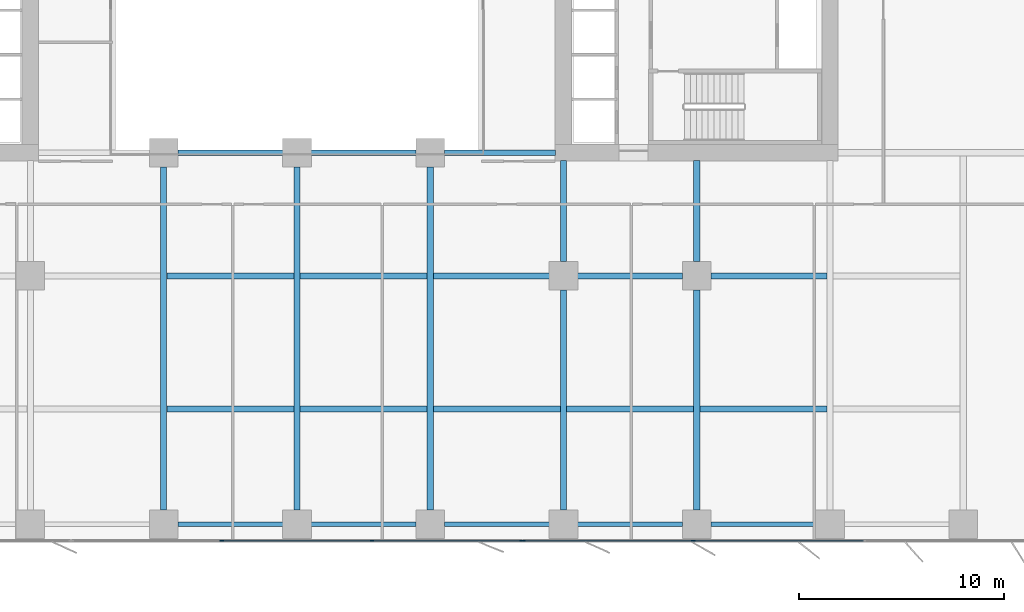
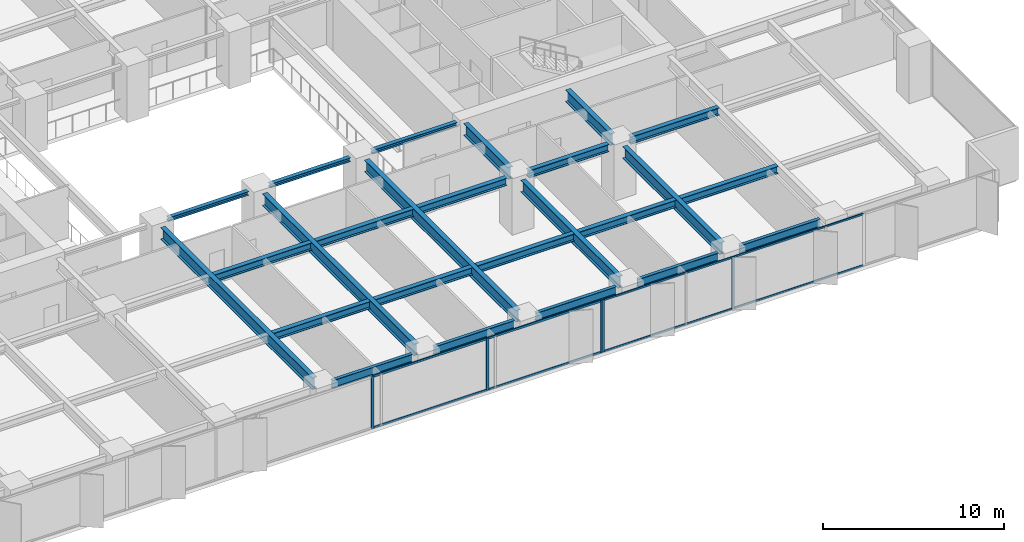
# One storey, part 5 of 20: 25 beams, 13 members, 2 elements without a shape of their own.
"""IFC4 building model written with IfcOpenShell, lengths in metres."""

from ifc_helpers import new_model, si_unit, direction, frame, origin, origin_2d, place, context, subcontext, project, spatial, rectangle, i_section, extrude, material, layer, layer_set, material_profile, profile_set, type_object, element, aggregate, save


model = new_model("IFC4")

# Units and contexts
model_context = context("Model", 3, precision=1e-05, world=origin(), true_north=direction((0.0, 1.0)))
body_context = subcontext(model_context, "Body", "Model", "MODEL_VIEW")
ifc_project = project(units=[si_unit("LENGTHUNIT", "METRE"), si_unit("AREAUNIT", "SQUARE_METRE"), si_unit("VOLUMEUNIT", "CUBIC_METRE"), si_unit("PLANEANGLEUNIT", "RADIAN"), si_unit("MASSUNIT", "GRAM", prefix="KILO")], contexts=[model_context])

# Site, building, storey
site_placement = place(None, origin())
site = spatial("IfcSite", under=ifc_project, at=site_placement, CompositionType="ELEMENT")
building_placement = place(site_placement, origin())
building = spatial("IfcBuilding", under=site, at=building_placement, Name="Putna Gate Headquarters", CompositionType="ELEMENT")
storey_placement = place(building_placement, frame((0.0, 0.0, 77.199951171875)))
storey = spatial("IfcBuildingStorey", under=building, at=storey_placement, Name="L18", CompositionType="ELEMENT", Elevation=77.199951171875)

# Beams
ifc_material_1 = material(Name="Steel S355J2", Category="steel")
ifc_material_profile_1 = material_profile(ifc_material_1, i_section(OverallWidth=0.260009765625, OverallDepth=0.260009765625, WebThickness=0.010009765625, FlangeThickness=0.017578125, at=origin_2d()), Name="Steel S355J2")
ifc_profile_set_1 = profile_set([ifc_material_profile_1], Name="Steel S355J2")
beam_type_1 = type_object("IfcBeamType", Name="BM-ATRIUM-HEB260", PredefinedType="BEAM", material=ifc_profile_set_1)
for number, where, z_axis, x_axis, name in (
    (1, (33.18798828125, 19.0, 3.39013671875), (1.0, 0.0, 0.0), (0.0, 1.0, 0.0), "L18 Atrium Edge Beam AS2"),
    (2, (39.68798828125, 19.0, 3.39013671875), (1.0, 0.0, 0.0), (0.0, 1.0, 0.0), "L18 Atrium Edge Beam AS3"),
):
    element("IfcBeam", number, at=place(storey_placement, frame(where, z_axis=z_axis, x_axis=x_axis)), inside=storey, type_object=beam_type_1, Name=name, PredefinedType="BEAM", context=body_context, shape_type="SweptSolid", body=[
        extrude(i_section(OverallWidth=0.260009765625, OverallDepth=0.260009765625, WebThickness=0.010009765625, FlangeThickness=0.017578125, at=origin_2d()), origin(), (0.0, 0.0, 1.0), 5.1240234375),
    ])
beam_1_placement = place(storey_placement, frame((46.18798828125, 19.0, 3.39013671875), z_axis=(1.0, 0.0, 0.0), x_axis=(0.0, 1.0, 0.0)))
element("IfcBeam", 3, at=beam_1_placement, inside=storey, type_object=beam_type_1, Name="L18 Atrium Edge Beam AS4", PredefinedType="BEAM", context=body_context, shape_type="SweptSolid", body=[
    extrude(i_section(OverallWidth=0.260009765625, OverallDepth=0.260009765625, WebThickness=0.010009765625, FlangeThickness=0.017578125, at=origin_2d()), origin(), (0.0, 0.0, 1.0), 5.427001953125),
])
ifc_material_profile_2 = material_profile(ifc_material_1, i_section(OverallWidth=0.300048828125, OverallDepth=0.800048828125, WebThickness=0.017578125, FlangeThickness=0.032958984375, at=origin_2d()), Name="Steel S355J2")
ifc_profile_set_2 = profile_set([ifc_material_profile_2], Name="Steel S355J2")
beam_type_2 = type_object("IfcBeamType", Name="BM-GIRD-P-HEB800", PredefinedType="USERDEFINED", material=ifc_profile_set_2)
for number, where, z_axis, x_axis, name in (
    (4, (32.5, 1.568115234375, 3.1201171875), (0.0, 1.0, 0.0), (-1.0, 0.0, 0.0), "L18 South Primary Girder X32"),
    (5, (39.0, 1.568115234375, 3.1201171875), (0.0, 1.0, 0.0), (-1.0, 0.0, 0.0), "L18 South Primary Girder X39"),
    (6, (45.5, 1.568115234375, 3.1201171875), (0.0, 1.0, 0.0), (-1.0, 0.0, 0.0), "L18 South Primary Girder X45"),
):
    element("IfcBeam", number, at=place(storey_placement, frame(where, z_axis=z_axis, x_axis=x_axis)), inside=storey, type_object=beam_type_2, Name=name, ObjectType="GIRDER", PredefinedType="USERDEFINED", context=body_context, shape_type="SweptSolid", body=[
        extrude(i_section(OverallWidth=0.300048828125, OverallDepth=0.800048828125, WebThickness=0.017578125, FlangeThickness=0.032958984375, at=origin_2d()), origin(), (0.0, 0.0, 1.0), 16.743896484375),
    ])
beam_2_placement = place(storey_placement, frame((52.0, 1.568115234375, 3.1201171875), z_axis=(0.0, 1.0, 0.0), x_axis=(-1.0, 0.0, 0.0)))
element("IfcBeam", 7, at=beam_2_placement, inside=storey, type_object=beam_type_2, Name="L18 South Primary Girder X52-1", ObjectType="GIRDER", PredefinedType="USERDEFINED", context=body_context, shape_type="SweptSolid", body=[
    extrude(i_section(OverallWidth=0.300048828125, OverallDepth=0.800048828125, WebThickness=0.017578125, FlangeThickness=0.032958984375, at=origin_2d()), origin(), (0.0, 0.0, 1.0), 10.743896484375),
])
beam_3_placement = place(storey_placement, frame((52.0, 13.68798828125, 3.1201171875), z_axis=(0.0, 1.0, 0.0), x_axis=(-1.0, 0.0, 0.0)))
element("IfcBeam", 8, at=beam_3_placement, inside=storey, type_object=beam_type_2, Name="L18 South Primary Girder X52-2", ObjectType="GIRDER", PredefinedType="USERDEFINED", context=body_context, shape_type="SweptSolid", body=[
    extrude(i_section(OverallWidth=0.300048828125, OverallDepth=0.800048828125, WebThickness=0.017578125, FlangeThickness=0.032958984375, at=origin_2d()), origin(), (0.0, 0.0, 1.0), 4.927001953125),
])
beam_4_placement = place(storey_placement, frame((58.5, 1.568115234375, 3.1201171875), z_axis=(0.0, 1.0, 0.0), x_axis=(-1.0, 0.0, 0.0)))
element("IfcBeam", 9, at=beam_4_placement, inside=storey, type_object=beam_type_2, Name="L18 South Primary Girder X58-1", ObjectType="GIRDER", PredefinedType="USERDEFINED", context=body_context, shape_type="SweptSolid", body=[
    extrude(i_section(OverallWidth=0.300048828125, OverallDepth=0.800048828125, WebThickness=0.017578125, FlangeThickness=0.032958984375, at=origin_2d()), origin(), (0.0, 0.0, 1.0), 10.743896484375),
])
beam_5_placement = place(storey_placement, frame((58.5, 13.68798828125, 3.1201171875), z_axis=(0.0, 1.0, 0.0), x_axis=(-1.0, 0.0, 0.0)))
element("IfcBeam", 10, at=beam_5_placement, inside=storey, type_object=beam_type_2, Name="L18 South Primary Girder X58-2", ObjectType="GIRDER", PredefinedType="USERDEFINED", context=body_context, shape_type="SweptSolid", body=[
    extrude(i_section(OverallWidth=0.300048828125, OverallDepth=0.800048828125, WebThickness=0.017578125, FlangeThickness=0.032958984375, at=origin_2d()), origin(), (0.0, 0.0, 1.0), 4.927001953125),
])
ifc_material_profile_3 = material_profile(ifc_material_1, i_section(OverallWidth=0.300048828125, OverallDepth=0.5, WebThickness=0.014404296875, FlangeThickness=0.028076171875, at=origin_2d()), Name="Steel S355J2")
ifc_profile_set_3 = profile_set([ifc_material_profile_3], Name="Steel S355J2")
beam_type_3 = type_object("IfcBeamType", Name="BM-GIRD-Z4-HEB500", PredefinedType="USERDEFINED", material=ifc_profile_set_3)
for number, where, z_axis, x_axis, name in (
    (11, (32.654052734375, 6.5, 3.27001953125), (1.0, 0.0, 0.0), (0.0, 1.0, 0.0), "L18 South Secondary Beam 5"),
    (12, (32.654052734375, 13.0, 3.27001953125), (1.0, 0.0, 0.0), (0.0, 1.0, 0.0), "L18 South Secondary Beam 5"),
    (13, (39.154052734375, 6.5, 3.27001953125), (1.0, 0.0, 0.0), (0.0, 1.0, 0.0), "L18 South Secondary Beam 6"),
    (14, (39.154052734375, 13.0, 3.27001953125), (1.0, 0.0, 0.0), (0.0, 1.0, 0.0), "L18 South Secondary Beam 6"),
    (15, (45.654052734375, 6.5, 3.27001953125), (1.0, 0.0, 0.0), (0.0, 1.0, 0.0), "L18 South Secondary Beam 7"),
):
    element("IfcBeam", number, at=place(storey_placement, frame(where, z_axis=z_axis, x_axis=x_axis)), inside=storey, type_object=beam_type_3, Name=name, ObjectType="GIRDER", PredefinedType="USERDEFINED", context=body_context, shape_type="SweptSolid", body=[
        extrude(i_section(OverallWidth=0.300048828125, OverallDepth=0.5, WebThickness=0.014404296875, FlangeThickness=0.028076171875, at=origin_2d()), origin(), (0.0, 0.0, 1.0), 6.19189453125),
    ])
beam_6_placement = place(storey_placement, frame((45.654052734375, 13.0, 3.27001953125), z_axis=(1.0, 0.0, 0.0), x_axis=(0.0, 1.0, 0.0)))
element("IfcBeam", 16, at=beam_6_placement, inside=storey, type_object=beam_type_3, Name="L18 South Secondary Beam 7", ObjectType="GIRDER", PredefinedType="USERDEFINED", context=body_context, shape_type="SweptSolid", body=[
    extrude(i_section(OverallWidth=0.300048828125, OverallDepth=0.5, WebThickness=0.014404296875, FlangeThickness=0.028076171875, at=origin_2d()), origin(), (0.0, 0.0, 1.0), 5.657958984375),
])
beam_7_placement = place(storey_placement, frame((52.154052734375, 6.5, 3.27001953125), z_axis=(1.0, 0.0, 0.0), x_axis=(0.0, 1.0, 0.0)))
element("IfcBeam", 17, at=beam_7_placement, inside=storey, type_object=beam_type_3, Name="L18 South Secondary Beam 8", ObjectType="GIRDER", PredefinedType="USERDEFINED", context=body_context, shape_type="SweptSolid", body=[
    extrude(i_section(OverallWidth=0.300048828125, OverallDepth=0.5, WebThickness=0.014404296875, FlangeThickness=0.028076171875, at=origin_2d()), origin(), (0.0, 0.0, 1.0), 6.19189453125),
])
beam_8_placement = place(storey_placement, frame((52.68798828125, 13.0, 3.27001953125), z_axis=(1.0, 0.0, 0.0), x_axis=(0.0, 1.0, 0.0)))
element("IfcBeam", 18, at=beam_8_placement, inside=storey, type_object=beam_type_3, Name="L18 South Secondary Beam 8", ObjectType="GIRDER", PredefinedType="USERDEFINED", context=body_context, shape_type="SweptSolid", body=[
    extrude(i_section(OverallWidth=0.300048828125, OverallDepth=0.5, WebThickness=0.014404296875, FlangeThickness=0.028076171875, at=origin_2d()), origin(), (0.0, 0.0, 1.0), 5.1240234375),
])
beam_9_placement = place(storey_placement, frame((58.654052734375, 6.5, 3.27001953125), z_axis=(1.0, 0.0, 0.0), x_axis=(0.0, 1.0, 0.0)))
element("IfcBeam", 19, at=beam_9_placement, inside=storey, type_object=beam_type_3, Name="L18 South Secondary Beam 9", ObjectType="GIRDER", PredefinedType="USERDEFINED", context=body_context, shape_type="SweptSolid", body=[
    extrude(i_section(OverallWidth=0.300048828125, OverallDepth=0.5, WebThickness=0.014404296875, FlangeThickness=0.028076171875, at=origin_2d()), origin(), (0.0, 0.0, 1.0), 6.19189453125),
])
beam_10_placement = place(storey_placement, frame((59.18798828125, 13.0, 3.27001953125), z_axis=(1.0, 0.0, 0.0), x_axis=(0.0, 1.0, 0.0)))
element("IfcBeam", 20, at=beam_10_placement, inside=storey, type_object=beam_type_3, Name="L18 South Secondary Beam 9", ObjectType="GIRDER", PredefinedType="USERDEFINED", context=body_context, shape_type="SweptSolid", body=[
    extrude(i_section(OverallWidth=0.300048828125, OverallDepth=0.5, WebThickness=0.014404296875, FlangeThickness=0.028076171875, at=origin_2d()), origin(), (0.0, 0.0, 1.0), 5.657958984375),
])
ifc_material_profile_4 = material_profile(ifc_material_1, i_section(OverallWidth=0.2099609375, OverallDepth=0.550048828125, WebThickness=0.010986328125, FlangeThickness=0.01708984375, at=origin_2d()), Name="Steel S355J2")
ifc_profile_set_4 = profile_set([ifc_material_profile_4], Name="Steel S355J2")
beam_type_4 = type_object("IfcBeamType", Name="BM-SPAN-Z1-IPE550", PredefinedType="SPANDREL", material=ifc_profile_set_4)
for number, where, z_axis, x_axis, name in (
    (21, (33.18798828125, 0.8798828125, 3.2451171875), (1.0, 0.0, 0.0), (0.0, 1.0, 0.0), "L18 S Perimeter Spandrel 5"),
    (22, (39.68798828125, 0.8798828125, 3.2451171875), (1.0, 0.0, 0.0), (0.0, 1.0, 0.0), "L18 S Perimeter Spandrel 6"),
    (23, (46.18798828125, 0.8798828125, 3.2451171875), (1.0, 0.0, 0.0), (0.0, 1.0, 0.0), "L18 S Perimeter Spandrel 7"),
    (24, (52.68798828125, 0.8798828125, 3.2451171875), (1.0, 0.0, 0.0), (0.0, 1.0, 0.0), "L18 S Perimeter Spandrel 8"),
    (25, (59.18798828125, 0.8798828125, 3.2451171875), (1.0, 0.0, 0.0), (0.0, 1.0, 0.0), "L18 S Perimeter Spandrel 9"),
):
    element("IfcBeam", number, at=place(storey_placement, frame(where, z_axis=z_axis, x_axis=x_axis)), inside=storey, type_object=beam_type_4, Name=name, PredefinedType="SPANDREL", context=body_context, shape_type="SweptSolid", body=[
        extrude(i_section(OverallWidth=0.2099609375, OverallDepth=0.550048828125, WebThickness=0.010986328125, FlangeThickness=0.01708984375, at=origin_2d()), origin(), (0.0, 0.0, 1.0), 5.1240234375),
    ])

# Curtain wall, members
ifc_material_2 = material(Name="Anodised bronze aluminium curtain wall", Category="aluminium")
ifc_layer_1 = layer(ifc_material_2, 0.179931640625)
ifc_layer_set_1 = layer_set([ifc_layer_1], Name="Anodised bronze aluminium curtain wall")
curtain_wall_type_1 = type_object("IfcCurtainWallType", Name="CW-SYS-Z1", PredefinedType="USERDEFINED", material=ifc_layer_set_1)
curtain_wall_1_placement = place(storey_placement, origin())
curtain_wall_1 = element("IfcCurtainWall", 26, at=curtain_wall_1_placement, inside=storey, type_object=curtain_wall_type_1, Name="L18 South East Curtain Wall", ObjectType="STICK CURTAIN WALL", PredefinedType="USERDEFINED")
ifc_material_3 = material(Name="Anodised bronze aluminium EN AW-6060", Category="aluminium")
ifc_material_profile_5 = material_profile(ifc_material_3, rectangle(XDim=0.070068359375, YDim=0.179931640625, at=origin_2d()), Name="Anodised bronze aluminium EN AW-6060")
ifc_profile_set_5 = profile_set([ifc_material_profile_5], Name="Anodised bronze aluminium EN AW-6060")
member_type_1 = type_object("IfcMemberType", Name="MULL-CWM-1", PredefinedType="MULLION", material=ifc_profile_set_5)
member_1_placement = place(storey_placement, frame((50.034912109375, 0.080078125, 0.0), z_axis=(0.0, 0.0, 1.0), x_axis=(0.0, 1.0, 0.0)))
member_1 = element("IfcMember", 27, at=member_1_placement, type_object=member_type_1, Name="CWS-1 mullion 1", PredefinedType="MULLION", context=body_context, shape_type="SweptSolid", body=[
    extrude(rectangle(XDim=0.070068359375, YDim=0.179931640625, at=origin_2d()), origin(), (0.0, 0.0, 1.0), 3.52001953125),
])
member_2_placement = place(storey_placement, frame((58.333251953125, 0.080078125, 0.0), z_axis=(0.0, 0.0, 1.0), x_axis=(0.0, 1.0, 0.0)))
member_2 = element("IfcMember", 28, at=member_2_placement, type_object=member_type_1, Name="CWS-1 mullion 2", PredefinedType="MULLION", context=body_context, shape_type="SweptSolid", body=[
    extrude(rectangle(XDim=0.070068359375, YDim=0.179931640625, at=origin_2d()), origin(), (0.0, 0.0, 1.0), 3.52001953125),
])

ifc_layer_2 = layer(ifc_material_2, 0.179931640625)
ifc_layer_set_2 = layer_set([ifc_layer_2], Name="Anodised bronze aluminium curtain wall")
curtain_wall_type_2 = type_object("IfcCurtainWallType", Name="CW-SYS-ATR", PredefinedType="USERDEFINED", material=ifc_layer_set_2)
curtain_wall_2_placement = place(storey_placement, origin())
curtain_wall_2 = element("IfcCurtainWall", 29, at=curtain_wall_2_placement, inside=storey, type_object=curtain_wall_type_2, Name="L18 South Atrium Clear Glazing", ObjectType="ATRIUM GLAZING", PredefinedType="USERDEFINED")
ifc_material_profile_6 = material_profile(ifc_material_3, rectangle(XDim=0.070068359375, YDim=0.179931640625, at=origin_2d()), Name="Anodised bronze aluminium EN AW-6060")
ifc_profile_set_6 = profile_set([ifc_material_profile_6], Name="Anodised bronze aluminium EN AW-6060")
member_type_2 = type_object("IfcMemberType", Name="MULL-CWM-AT", PredefinedType="MULLION", material=ifc_profile_set_6)
member_3_placement = place(storey_placement, frame((35.333251953125, 0.080078125, 0.0), z_axis=(0.0, 0.0, 1.0), x_axis=(0.0, 1.0, 0.0)))
member_3 = element("IfcMember", 30, at=member_3_placement, type_object=member_type_2, Name="CWS-AT mullion 2", PredefinedType="MULLION", context=body_context, shape_type="SweptSolid", body=[
    extrude(rectangle(XDim=0.070068359375, YDim=0.179931640625, at=origin_2d()), origin(), (0.0, 0.0, 1.0), 3.52001953125),
])
member_4_placement = place(storey_placement, frame((42.666748046875, 0.080078125, 0.0), z_axis=(0.0, 0.0, 1.0), x_axis=(0.0, 1.0, 0.0)))
member_4 = element("IfcMember", 31, at=member_4_placement, type_object=member_type_2, Name="CWS-AT mullion 3", PredefinedType="MULLION", context=body_context, shape_type="SweptSolid", body=[
    extrude(rectangle(XDim=0.070068359375, YDim=0.179931640625, at=origin_2d()), origin(), (0.0, 0.0, 1.0), 3.52001953125),
])
member_5_placement = place(storey_placement, frame((49.965087890625, 0.080078125, 0.0), z_axis=(0.0, 0.0, 1.0), x_axis=(0.0, 1.0, 0.0)))
member_5 = element("IfcMember", 32, at=member_5_placement, type_object=member_type_2, Name="CWS-AT mullion 4", PredefinedType="MULLION", context=body_context, shape_type="SweptSolid", body=[
    extrude(rectangle(XDim=0.070068359375, YDim=0.179931640625, at=origin_2d()), origin(), (0.0, 0.0, 1.0), 3.52001953125),
])

# Member
ifc_material_profile_7 = material_profile(ifc_material_3, rectangle(XDim=0.06494140625, YDim=0.1201171875, at=origin_2d()), Name="Anodised bronze aluminium EN AW-6060")
ifc_profile_set_7 = profile_set([ifc_material_profile_7], Name="Anodised bronze aluminium EN AW-6060")
member_type_3 = type_object("IfcMemberType", Name="TRAN-CWT-1", PredefinedType="USERDEFINED", material=ifc_profile_set_7)
member_6_placement = place(storey_placement, frame((50.070068359375, 0.080078125, 0.032470703125), z_axis=(1.0, 0.0, 0.0), x_axis=(0.0, 1.0, 0.0)))
member_6 = element("IfcMember", 33, at=member_6_placement, type_object=member_type_3, Name="CWS-1 transom 1.1", ObjectType="TRANSOM", PredefinedType="USERDEFINED", context=body_context, shape_type="SweptSolid", body=[
    extrude(rectangle(XDim=0.06494140625, YDim=0.1201171875, at=origin_2d()), origin(), (0.0, 0.0, 1.0), 8.228271484375),
])

member_7_placement = place(storey_placement, frame((50.070068359375, 0.080078125, 3.487548828125), z_axis=(1.0, 0.0, 0.0), x_axis=(0.0, 1.0, 0.0)))
member_7 = element("IfcMember", 34, at=member_7_placement, type_object=member_type_3, Name="CWS-1 transom 1.2", ObjectType="TRANSOM", PredefinedType="USERDEFINED", context=body_context, shape_type="SweptSolid", body=[
    extrude(rectangle(XDim=0.06494140625, YDim=0.1201171875, at=origin_2d()), origin(), (0.0, 0.0, 1.0), 8.228271484375),
])

member_8_placement = place(storey_placement, frame((58.368408203125, 0.080078125, 0.032470703125), z_axis=(1.0, 0.0, 0.0), x_axis=(0.0, 1.0, 0.0)))
member_8 = element("IfcMember", 35, at=member_8_placement, type_object=member_type_3, Name="CWS-1 transom 2.1", ObjectType="TRANSOM", PredefinedType="USERDEFINED", context=body_context, shape_type="SweptSolid", body=[
    extrude(rectangle(XDim=0.06494140625, YDim=0.1201171875, at=origin_2d()), origin(), (0.0, 0.0, 1.0), 8.26318359375),
])

member_9_placement = place(storey_placement, frame((58.368408203125, 0.080078125, 3.487548828125), z_axis=(1.0, 0.0, 0.0), x_axis=(0.0, 1.0, 0.0)))
member_9 = element("IfcMember", 36, at=member_9_placement, type_object=member_type_3, Name="CWS-1 transom 2.2", ObjectType="TRANSOM", PredefinedType="USERDEFINED", context=body_context, shape_type="SweptSolid", body=[
    extrude(rectangle(XDim=0.06494140625, YDim=0.1201171875, at=origin_2d()), origin(), (0.0, 0.0, 1.0), 8.26318359375),
])

aggregate(curtain_wall_1, [member_1, member_2, member_6, member_7, member_8, member_9])

ifc_material_profile_8 = material_profile(ifc_material_3, rectangle(XDim=0.070068359375, YDim=0.139892578125, at=origin_2d()), Name="Anodised bronze aluminium EN AW-6060")
ifc_profile_set_8 = profile_set([ifc_material_profile_8], Name="Anodised bronze aluminium EN AW-6060")
member_type_4 = type_object("IfcMemberType", Name="TRAN-CWT-AT", PredefinedType="USERDEFINED", material=ifc_profile_set_8)
member_10_placement = place(storey_placement, frame((35.368408203125, 0.080078125, 0.03515625), z_axis=(1.0, 0.0, 0.0), x_axis=(0.0, 1.0, 0.0)))
member_10 = element("IfcMember", 37, at=member_10_placement, type_object=member_type_4, Name="CWS-AT transom 2.1", ObjectType="TRANSOM", PredefinedType="USERDEFINED", context=body_context, shape_type="SweptSolid", body=[
    extrude(rectangle(XDim=0.070068359375, YDim=0.139892578125, at=origin_2d()), origin(), (0.0, 0.0, 1.0), 7.26318359375),
])

member_11_placement = place(storey_placement, frame((35.368408203125, 0.080078125, 3.485107421875), z_axis=(1.0, 0.0, 0.0), x_axis=(0.0, 1.0, 0.0)))
member_11 = element("IfcMember", 38, at=member_11_placement, type_object=member_type_4, Name="CWS-AT transom 2.2", ObjectType="TRANSOM", PredefinedType="USERDEFINED", context=body_context, shape_type="SweptSolid", body=[
    extrude(rectangle(XDim=0.070068359375, YDim=0.139892578125, at=origin_2d()), origin(), (0.0, 0.0, 1.0), 7.26318359375),
])

member_12_placement = place(storey_placement, frame((42.70166015625, 0.080078125, 0.03515625), z_axis=(1.0, 0.0, 0.0), x_axis=(0.0, 1.0, 0.0)))
member_12 = element("IfcMember", 39, at=member_12_placement, type_object=member_type_4, Name="CWS-AT transom 3.1", ObjectType="TRANSOM", PredefinedType="USERDEFINED", context=body_context, shape_type="SweptSolid", body=[
    extrude(rectangle(XDim=0.070068359375, YDim=0.139892578125, at=origin_2d()), origin(), (0.0, 0.0, 1.0), 7.228271484375),
])

member_13_placement = place(storey_placement, frame((42.70166015625, 0.080078125, 3.485107421875), z_axis=(1.0, 0.0, 0.0), x_axis=(0.0, 1.0, 0.0)))
member_13 = element("IfcMember", 40, at=member_13_placement, type_object=member_type_4, Name="CWS-AT transom 3.2", ObjectType="TRANSOM", PredefinedType="USERDEFINED", context=body_context, shape_type="SweptSolid", body=[
    extrude(rectangle(XDim=0.070068359375, YDim=0.139892578125, at=origin_2d()), origin(), (0.0, 0.0, 1.0), 7.228271484375),
])

aggregate(curtain_wall_2, [member_3, member_4, member_5, member_10, member_11, member_12, member_13])

save(model, "model.ifc")
